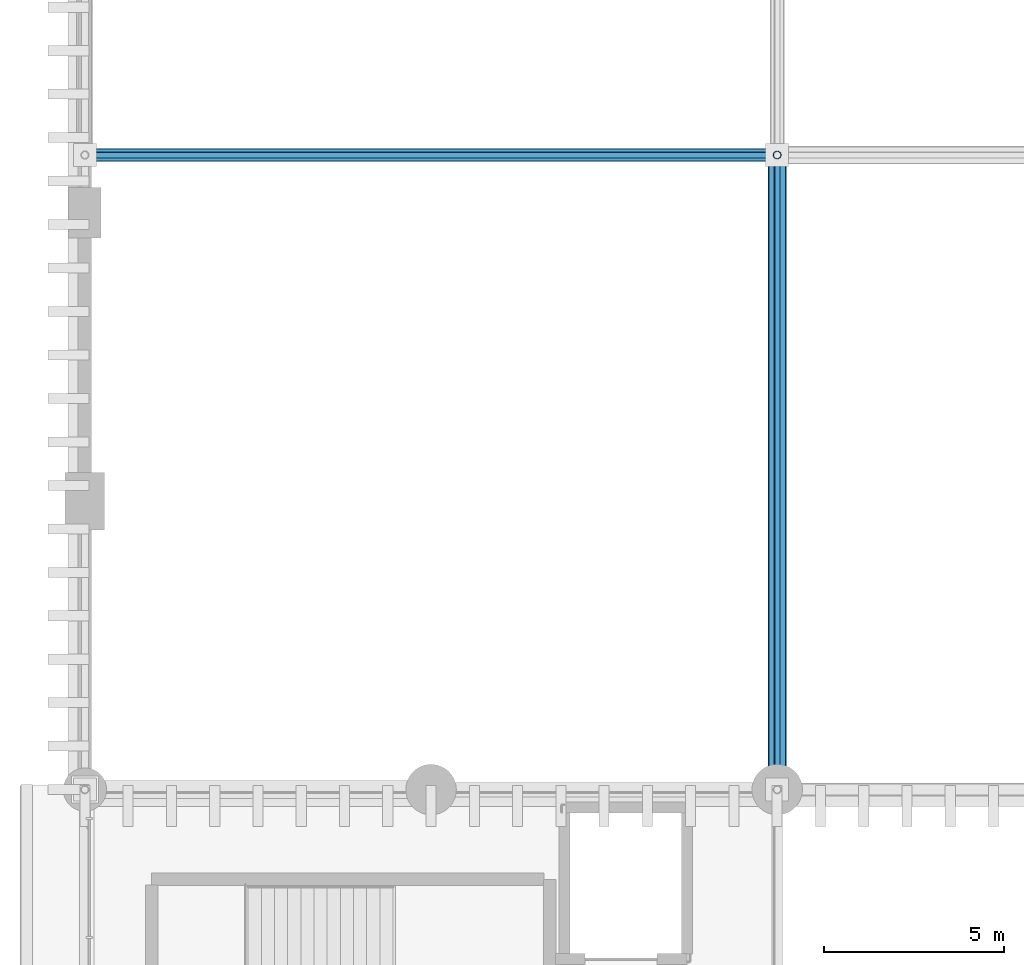
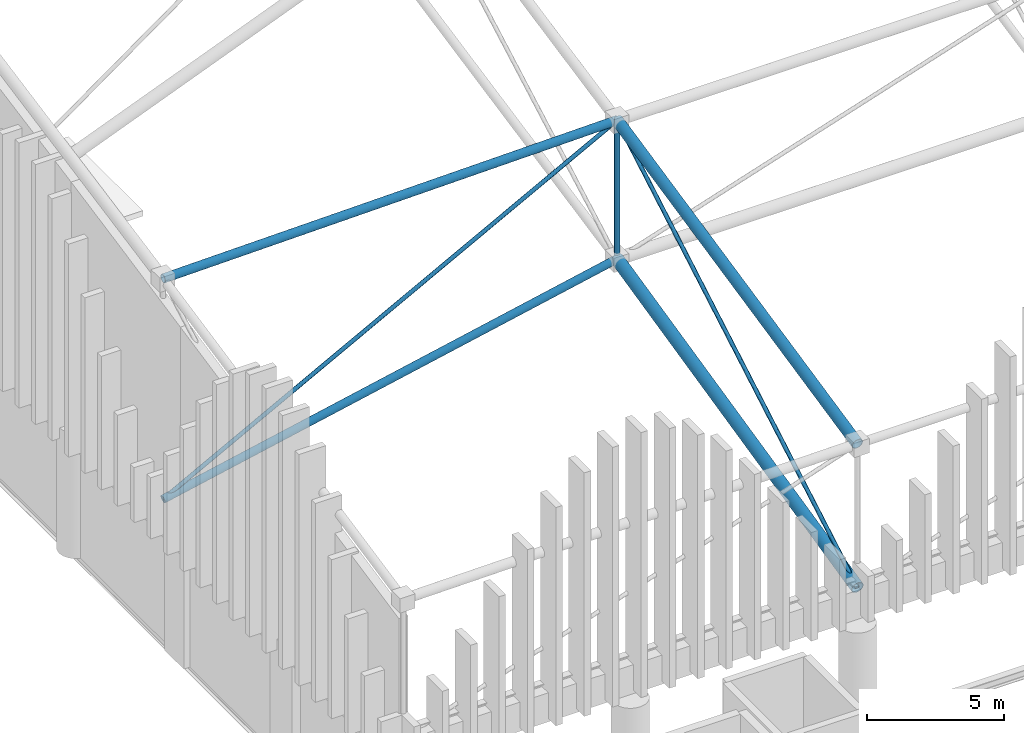
# One storey, part 49 of 193: 7 members.
"""IFC4 building model written with IfcOpenShell, lengths in metres."""

from ifc_helpers import new_model, si_unit, direction, frame, origin, origin_2d, place, context, subcontext, project, spatial, hollow_circle, extrude, material, material_profile, profile_set, type_object, element, save


model = new_model("IFC4")

# Units and contexts
model_context = context("Model", 3, precision=1e-05, world=origin(), true_north=direction((0.0, 1.0)))
body_context = subcontext(model_context, "Body", "Model", "MODEL_VIEW")
ifc_project = project(units=[si_unit("LENGTHUNIT", "METRE"), si_unit("AREAUNIT", "SQUARE_METRE"), si_unit("VOLUMEUNIT", "CUBIC_METRE"), si_unit("PLANEANGLEUNIT", "RADIAN"), si_unit("MASSUNIT", "GRAM", prefix="KILO")], contexts=[model_context])

# Site, building, storey
site_placement = place(None, origin())
site = spatial("IfcSite", under=ifc_project, at=site_placement, CompositionType="ELEMENT")
building_placement = place(site_placement, origin())
building = spatial("IfcBuilding", under=site, at=building_placement, Name="Danafjord Basin Convention Centre", CompositionType="ELEMENT")
storey_placement = place(building_placement, frame((0.0, 0.0, 11.39990234375)))
storey = spatial("IfcBuildingStorey", under=building, at=storey_placement, Name="L02", CompositionType="ELEMENT", Elevation=11.39990234375)

# Members
ifc_material = material(Name="Steel S355", Category="steel")
ifc_material_profile_1 = material_profile(ifc_material, hollow_circle(Radius=0.161865234375, WallThickness=0.01611328125, at=origin_2d()), Name="CHS 323.9x16.0")
ifc_profile_set_1 = profile_set([ifc_material_profile_1], Name="Steel S355")
member_type_1 = type_object("IfcMemberType", Name="MEM-CH-CHS324", PredefinedType="CHORD", material=ifc_profile_set_1)
member_1_placement = place(storey_placement, frame((0.0, 73.60009765625, 6.050048828125), z_axis=(0.978768565512, 0.0, 0.204968522379), x_axis=(0.0, 1.0, 0.0)))
element("IfcMember", 1, at=member_1_placement, inside=storey, type_object=member_type_1, Name="V1 roof truss longitudinal bottom chord", PredefinedType="CHORD", context=body_context, shape_type="SweptSolid", body=[
    extrude(hollow_circle(Radius=0.161865234375, WallThickness=0.01611328125, at=origin_2d()), origin(), (0.0, 0.0, 1.0), 19.616455078125),
])
ifc_material_profile_2 = material_profile(ifc_material, hollow_circle(Radius=0.177734375, WallThickness=0.01611328125, at=origin_2d()), Name="CHS 355.6x16.0")
ifc_profile_set_2 = profile_set([ifc_material_profile_2], Name="Steel S355")
member_type_2 = type_object("IfcMemberType", Name="MEM-CH-CHS355", PredefinedType="CHORD", material=ifc_profile_set_2)
member_2_placement = place(storey_placement, frame((0.0, 73.60009765625, 15.910888671875), z_axis=(0.999824159326, 0.0, 0.018752344583), x_axis=(0.0, 1.0, 0.0)))
element("IfcMember", 2, at=member_2_placement, inside=storey, type_object=member_type_2, Name="V1 roof truss longitudinal top chord", PredefinedType="CHORD", context=body_context, shape_type="SweptSolid", body=[
    extrude(hollow_circle(Radius=0.177734375, WallThickness=0.01611328125, at=origin_2d()), origin(), (0.0, 0.0, 1.0), 19.203369140625),
])
ifc_material_profile_3 = material_profile(ifc_material, hollow_circle(Radius=0.228515625, WallThickness=0.02001953125, at=origin_2d()), Name="CHS 457.0x20.0")
ifc_profile_set_3 = profile_set([ifc_material_profile_3], Name="Steel S355")
member_type_3 = type_object("IfcMemberType", Name="MEM-CH-CHS457", PredefinedType="CHORD", material=ifc_profile_set_3)
member_3_placement = place(storey_placement, frame((19.199951171875, 56.0, 12.47509765625), z_axis=(0.0, 0.977523345498, 0.210827201773), x_axis=(-1.0, 0.0, 0.0)))
element("IfcMember", 3, at=member_3_placement, inside=storey, type_object=member_type_3, Name="V1 roof truss transverse top chord", PredefinedType="CHORD", context=body_context, shape_type="SweptSolid", body=[
    extrude(hollow_circle(Radius=0.228515625, WallThickness=0.02001953125, at=origin_2d()), origin(), (0.0, 0.0, 1.0), 18.0048828125),
])
ifc_material_profile_4 = material_profile(ifc_material, hollow_circle(Radius=0.25390625, WallThickness=0.02490234375, at=origin_2d()), Name="CHS 508.0x25.0")
ifc_profile_set_4 = profile_set([ifc_material_profile_4], Name="Steel S355")
member_type_4 = type_object("IfcMemberType", Name="MEM-CH-CHS508", PredefinedType="CHORD", material=ifc_profile_set_4)
member_4_placement = place(storey_placement, frame((19.199951171875, 56.0, 6.050048828125), z_axis=(0.0, 0.97488409866, 0.222712806503), x_axis=(-1.0, 0.0, 0.0)))
element("IfcMember", 4, at=member_4_placement, inside=storey, type_object=member_type_4, Name="V1 roof truss transverse bottom chord", PredefinedType="CHORD", context=body_context, shape_type="SweptSolid", body=[
    extrude(hollow_circle(Radius=0.25390625, WallThickness=0.02490234375, at=origin_2d()), origin(), (0.0, 0.0, 1.0), 18.053466796875),
])
ifc_material_profile_5 = material_profile(ifc_material, hollow_circle(Radius=0.109619140625, WallThickness=0.010009765625, at=origin_2d()), Name="CHS 219.1x10.0")
ifc_profile_set_5 = profile_set([ifc_material_profile_5], Name="Steel S355")
member_type_5 = type_object("IfcMemberType", Name="MEM-ST-CHS219", PredefinedType="STRUT", material=ifc_profile_set_5)
member_5_placement = place(storey_placement, frame((19.199951171875, 73.60009765625, 10.07080078125), z_axis=(0.0, 0.0, 1.0), x_axis=(1.0, 0.0, 0.0)))
element("IfcMember", 5, at=member_5_placement, inside=storey, type_object=member_type_5, Name="V1 roof truss vertical strut", PredefinedType="STRUT", context=body_context, shape_type="SweptSolid", body=[
    extrude(hollow_circle(Radius=0.109619140625, WallThickness=0.010009765625, at=origin_2d()), origin(), (0.0, 0.0, 1.0), 6.2001953125),
])
ifc_material_profile_6 = material_profile(ifc_material, hollow_circle(Radius=0.084228515625, WallThickness=0.008056640625, at=origin_2d()), Name="CHS 168.3x8.0")
ifc_profile_set_6 = profile_set([ifc_material_profile_6], Name="Steel S355")
member_type_6 = type_object("IfcMemberType", Name="MEM-WB-CHS168", PredefinedType="MEMBER", material=ifc_profile_set_6)
member_6_placement = place(storey_placement, frame((0.0, 73.60009765625, 6.050048828125), z_axis=(0.882715896493, 0.0, 0.469907061107), x_axis=(0.0, 1.0, 0.0)))
element("IfcMember", 6, at=member_6_placement, inside=storey, type_object=member_type_6, Name="V1 space-frame longitudinal web", PredefinedType="MEMBER", context=body_context, shape_type="SweptSolid", body=[
    extrude(hollow_circle(Radius=0.084228515625, WallThickness=0.008056640625, at=origin_2d()), origin(), (0.0, 0.0, 1.0), 21.7509765625),
])
member_7_placement = place(storey_placement, frame((19.199951171875, 56.0, 6.050048828125), z_axis=(0.0, 0.864756178829, 0.502191946548), x_axis=(-1.0, 0.0, 0.0)))
element("IfcMember", 7, at=member_7_placement, inside=storey, type_object=member_type_6, Name="V1 space-frame transverse web", PredefinedType="MEMBER", context=body_context, shape_type="SweptSolid", body=[
    extrude(hollow_circle(Radius=0.084228515625, WallThickness=0.008056640625, at=origin_2d()), origin(), (0.0, 0.0, 1.0), 20.352783203125),
])

save(model, "model.ifc")
